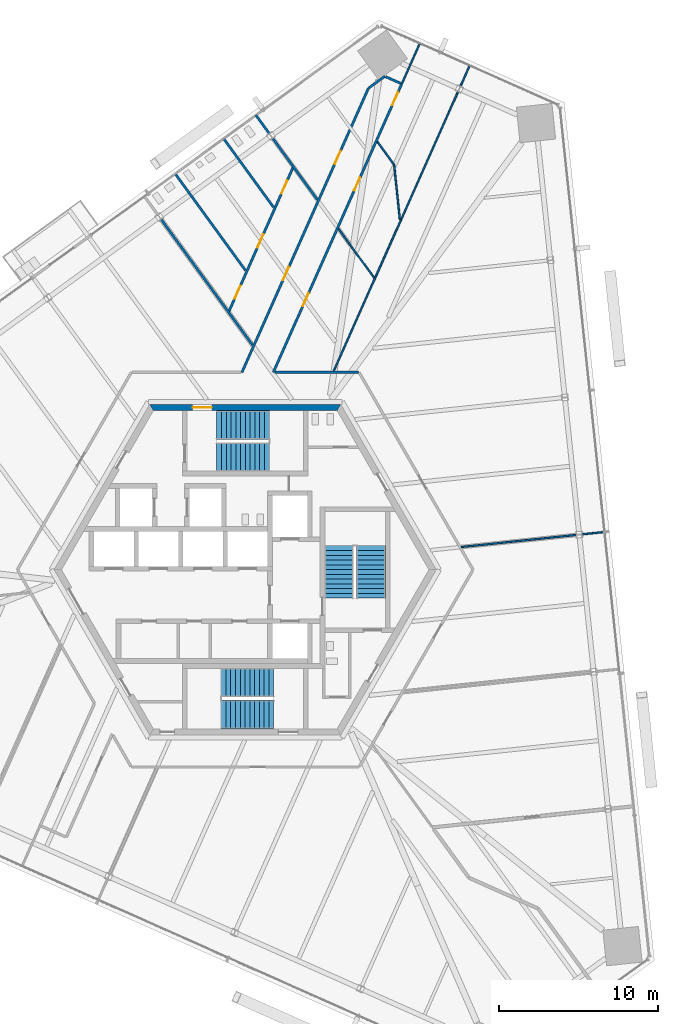
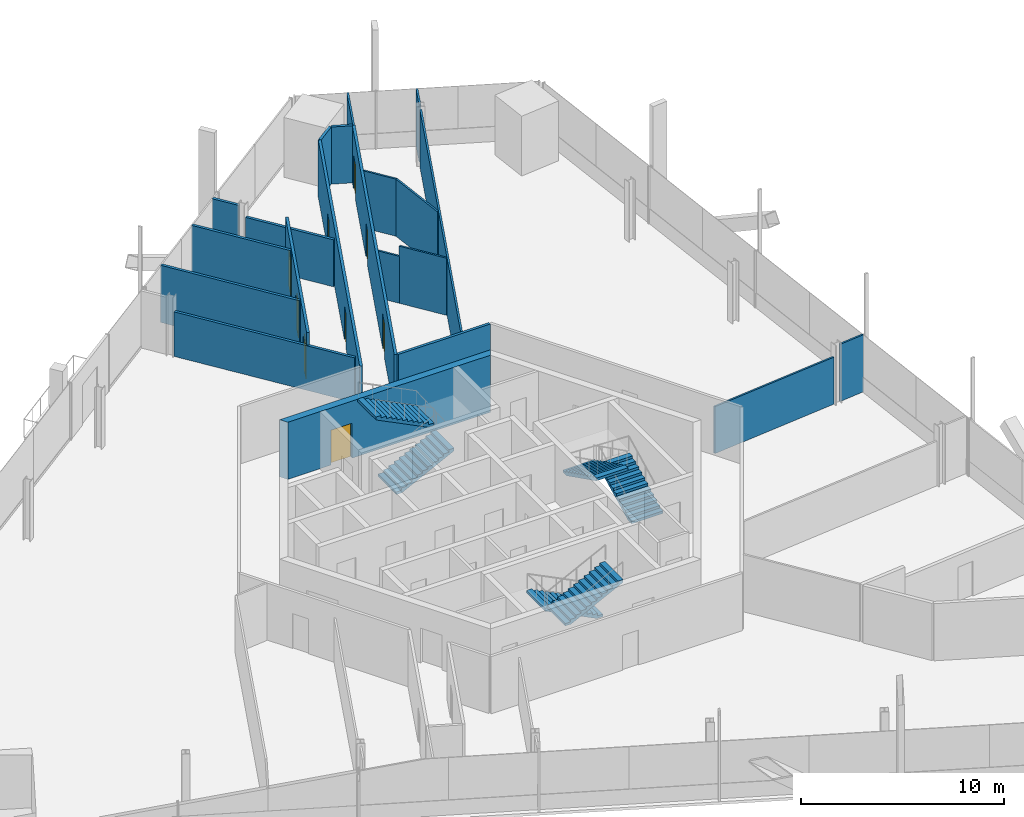
# One storey, part 14 of 21: 21 walls, 9 doors, 6 stair flights, 9 openings, 3 elements without a shape of their own.
"""IFC4 building model written with IfcOpenShell, lengths in metres."""

from ifc_helpers import new_model, si_unit, direction, frame, frame_2d, origin, place, context, subcontext, project, spatial, polyline, rectangle, outline, extrude, source, transform, mapped, material, layer, layer_set, type_object, element, fill, aggregate, save


model = new_model("IFC4")

# Units and contexts
model_context = context("Model", 3, precision=1e-05, world=origin(), true_north=direction((0.0, 1.0)))
body_context = subcontext(model_context, "Body", "Model", "MODEL_VIEW")
ifc_project = project(units=[si_unit("LENGTHUNIT", "METRE"), si_unit("AREAUNIT", "SQUARE_METRE"), si_unit("VOLUMEUNIT", "CUBIC_METRE"), si_unit("PLANEANGLEUNIT", "RADIAN"), si_unit("MASSUNIT", "GRAM", prefix="KILO")], contexts=[model_context])

# Site, building, storey
site_placement = place(None, origin())
site = spatial("IfcSite", under=ifc_project, at=site_placement, CompositionType="ELEMENT")
building_placement = place(site_placement, origin())
building = spatial("IfcBuilding", under=site, at=building_placement, Name="Triune Harvest Tower", CompositionType="ELEMENT")
storey_placement = place(building_placement, frame((0.0, 0.0, 65.699951171875)))
storey = spatial("IfcBuildingStorey", under=building, at=storey_placement, Name="L15", CompositionType="ELEMENT", Elevation=65.699951171875)

# Walls
ifc_material_1 = material(Name="Gypsum board on steel studs", Category="steel")
ifc_layer_1 = layer(ifc_material_1, 0.10009765625)
ifc_layer_set_1 = layer_set([ifc_layer_1], Name="Gypsum board on steel studs")
wall_type_1 = type_object("IfcWallType", Name="Partition 100 mm", PredefinedType="PARTITIONING", material=ifc_layer_set_1)
wall_1_placement = place(storey_placement, frame((9.35009765625, 25.447021484375, 0.0), z_axis=(0.0, 0.0, 1.0), x_axis=(0.104549548295, -0.994519679017, 0.0)))
element("IfcWall", 1, at=wall_1_placement, inside=storey, type_object=wall_type_1, Name="Partition L15 001", PredefinedType="PARTITIONING", context=body_context, shape_type="SweptSolid", body=[
    extrude(rectangle(XDim=3.47705078125, YDim=0.10009765625, at=frame_2d((1.738525390625, 0.0))), origin(), (0.0, 0.0, 1.0), 3.43994140625),
])
wall_2_placement = place(storey_placement, frame((8.3017578125, 26.889892578125, 0.0), z_axis=(0.0, 0.0, 1.0), x_axis=(0.587797227367, -0.809008293838, 0.0)))
element("IfcWall", 2, at=wall_2_placement, inside=storey, type_object=wall_type_1, Name="Partition L15 015", PredefinedType="PARTITIONING", context=body_context, shape_type="SweptSolid", body=[
    extrude(rectangle(XDim=1.783447265625, YDim=0.10009765625, at=frame_2d((0.8916015625, 0.0))), origin(), (0.0, 0.0, 1.0), 3.43994140625),
])

# Wall, opening, door
ifc_material_2 = material(Name="Concrete 70 MPa", Category="concrete")
ifc_layer_2 = layer(ifc_material_2, 0.39990234375)
ifc_layer_set_2 = layer_set([ifc_layer_2], Name="Concrete 70 MPa")
wall_type_2 = type_object("IfcWallType", Name="Core wall 400", PredefinedType="SHEAR", material=ifc_layer_set_2)
shared_shape_1 = source(origin(), body_context, "Body", "SweptSolid", [
    extrude(outline(polyline([(-0.115478515625, -0.199951171875), (11.884521484375, -0.199951171875), (11.653564453125, 0.199951171875), (0.115478515625, 0.199951171875), (-0.115478515625, -0.199951171875)])), origin(), (0.0, 0.0, 1.0), 3.43994140625),
])
wall_3_placement = place(storey_placement, frame((5.884521484375, 10.1923828125, 0.0), z_axis=(0.0, 0.0, 1.0), x_axis=(-1.0, 0.0, 0.0)))
wall_3 = element("IfcWall", 3, at=wall_3_placement, inside=storey, type_object=wall_type_2, Name="Hexagon 1 wall", PredefinedType="SHEAR", context=body_context, shape_type="MappedRepresentation", body=[
    mapped(shared_shape_1, transform((0.0, 0.0, 0.0), scale=1.0)),
])
opening_1_placement = place(wall_3_placement, frame((7.984619140625, 0.0, 0.0)))
opening_1 = element("IfcOpeningElement", 4, at=opening_1_placement, cuts=wall_3, Name="Opening CD-S1P", PredefinedType="OPENING", context=body_context, shape_type="SweptSolid", body=[
    extrude(rectangle(XDim=1.199951171875, YDim=2.10009765625, at=frame_2d((0.60009765625, 1.050048828125))), frame((0.0, 0.2099609375, 0.0), z_axis=(0.0, -1.0, 0.0), x_axis=(1.0, 0.0, 0.0)), (0.0, 0.0, 1.0), 0.419921875),
])
ifc_material_3 = material(Name="Steel S235", Category="steel")
door_type_1 = type_object("IfcDoorType", Name="Stair door 1200 FD120", OperationType="SINGLE_SWING_LEFT", PredefinedType="DOOR", material=ifc_material_3)
door_1_placement = place(opening_1_placement, frame((1.199951171875, 0.0, 0.0), z_axis=(0.0, 0.0, 1.0), x_axis=(-1.0, 0.0, 0.0)))
door_1 = element("IfcDoor", 5, at=door_1_placement, inside=storey, type_object=door_type_1, Name="Door CD-S1P", OperationType="SINGLE_SWING_RIGHT", OverallHeight=2.10009765625, OverallWidth=1.199951171875, PredefinedType="DOOR", context=body_context, shape_type="SweptSolid", body=[
    extrude(rectangle(XDim=1.199951171875, YDim=2.10009765625, at=frame_2d((0.60009765625, 1.050048828125))), frame((0.0, 0.02490234375, 0.0), z_axis=(0.0, -1.0, 0.0), x_axis=(1.0, 0.0, 0.0)), (0.0, 0.0, 1.0), 0.050048828125),
])
fill(opening_1, door_1)

# Walls
ifc_material_4 = material(Name="Gypsum board on steel studs", Category="steel")
ifc_layer_3 = layer(ifc_material_4, 0.14990234375)
ifc_layer_set_3 = layer_set([ifc_layer_3], Name="Gypsum board on steel studs")
wall_type_3 = type_object("IfcWallType", Name="Fire Partition 150 mm", PredefinedType="PARTITIONING", material=ifc_layer_set_3)
shared_shape_2 = source(origin(), body_context, "Body", "SweptSolid", [
    extrude(rectangle(XDim=9.754150390625, YDim=0.14990234375, at=frame_2d((4.876953125, 0.0))), origin(), (0.0, 0.0, 1.0), 2.68310546875),
])
wall_4_placement = place(storey_placement, frame((-5.2802734375, 22.004638671875, 0.0), z_axis=(0.0, 0.0, 1.0), x_axis=(0.587784693137, -0.809017400625, 0.0)))
element("IfcWall", 6, at=wall_4_placement, inside=storey, type_object=wall_type_3, Name="Partition L15 009", PredefinedType="PARTITIONING", context=body_context, shape_type="MappedRepresentation", body=[
    mapped(shared_shape_2, transform((0.0, 0.0, 0.0), scale=1.0)),
])
shared_shape_3 = source(origin(), body_context, "Body", "SweptSolid", [
    extrude(rectangle(XDim=7.5048828125, YDim=0.14990234375, at=frame_2d((3.75244140625, 0.0))), origin(), (0.0, 0.0, 1.0), 3.43994140625),
])
wall_5_placement = place(storey_placement, frame((-4.391845703125, 24.864990234375, 0.0), z_axis=(0.0, 0.0, 1.0), x_axis=(0.587777030778, -0.809022967591, 0.0)))
element("IfcWall", 7, at=wall_5_placement, inside=storey, type_object=wall_type_3, Name="Partition L15 010", PredefinedType="PARTITIONING", context=body_context, shape_type="MappedRepresentation", body=[
    mapped(shared_shape_3, transform((0.0, 0.0, 0.0), scale=1.0)),
])
shared_shape_4 = source(origin(), body_context, "Body", "SweptSolid", [
    extrude(rectangle(XDim=5.33544921875, YDim=0.14990234375, at=frame_2d((2.667724609375, 0.0))), origin(), (0.0, 0.0, 1.0), 3.43994140625),
])
wall_6_placement = place(storey_placement, frame((-1.35205078125, 27.073486328125, 0.0), z_axis=(0.0, 0.0, 1.0), x_axis=(0.587777109059, -0.809022910718, 0.0)))
element("IfcWall", 8, at=wall_6_placement, inside=storey, type_object=wall_type_3, Name="Partition L15 011", PredefinedType="PARTITIONING", context=body_context, shape_type="MappedRepresentation", body=[
    mapped(shared_shape_4, transform((0.0, 0.0, 0.0), scale=1.0)),
])
shared_shape_5 = source(origin(), body_context, "Body", "SweptSolid", [
    extrude(rectangle(XDim=1.41796875, YDim=0.14990234375, at=frame_2d((0.708984375, 0.0))), origin(), (0.0, 0.0, 1.0), 3.43994140625),
])
wall_7_placement = place(storey_placement, frame((0.674560546875, 28.545654296875, 0.0), z_axis=(0.0, 0.0, 1.0), x_axis=(0.587782622309, -0.809018905164, 0.0)))
element("IfcWall", 9, at=wall_7_placement, inside=storey, type_object=wall_type_3, Name="Partition L15 012", PredefinedType="PARTITIONING", context=body_context, shape_type="MappedRepresentation", body=[
    mapped(shared_shape_5, transform((0.0, 0.0, 0.0), scale=1.0)),
])
shared_shape_6 = source(origin(), body_context, "Body", "SweptSolid", [
    extrude(rectangle(XDim=4.7529296875, YDim=0.14990234375, at=frame_2d((2.37646484375, 0.0))), origin(), (0.0, 0.0, 1.0), 2.827880859375),
])
wall_8_placement = place(storey_placement, frame((1.727783203125, 27.09619140625, 0.0), z_axis=(0.0, 0.0, 1.0), x_axis=(0.587783745591, -0.809018089055, 0.0)))
element("IfcWall", 10, at=wall_8_placement, inside=storey, type_object=wall_type_3, Name="Partition L15 013", PredefinedType="PARTITIONING", context=body_context, shape_type="MappedRepresentation", body=[
    mapped(shared_shape_6, transform((0.0, 0.0, 0.0), scale=1.0)),
])
shared_shape_7 = source(origin(), body_context, "Body", "SweptSolid", [
    extrude(rectangle(XDim=1.260498046875, YDim=0.10009765625, at=frame_2d((0.63037109375, 0.0))), origin(), (0.0, 0.0, 1.0), 2.827880859375),
])
wall_9_placement = place(storey_placement, frame((5.86083984375, 21.40771484375, 0.0), z_axis=(0.0, 0.0, 1.0), x_axis=(0.587687864278, -0.809087741954, 0.0)))
element("IfcWall", 11, at=wall_9_placement, inside=storey, type_object=wall_type_1, Name="Partition L15 014", PredefinedType="PARTITIONING", context=body_context, shape_type="MappedRepresentation", body=[
    mapped(shared_shape_7, transform((0.0, 0.0, 0.0), scale=1.0)),
])
shared_shape_8 = source(origin(), body_context, "Body", "SweptSolid", [
    extrude(rectangle(XDim=2.54150390625, YDim=0.10009765625, at=frame_2d((1.270751953125, 0.0))), origin(), (0.0, 0.0, 1.0), 3.43994140625),
])
wall_10_placement = place(storey_placement, frame((6.6015625, 20.387939453125, 0.0), z_axis=(0.0, 0.0, 1.0), x_axis=(0.587788950983, -0.809014307106, 0.0)))
element("IfcWall", 12, at=wall_10_placement, inside=storey, type_object=wall_type_1, Name="Partition L15 014a", PredefinedType="PARTITIONING", context=body_context, shape_type="MappedRepresentation", body=[
    mapped(shared_shape_8, transform((0.0, 0.0, 0.0), scale=1.0)),
])
shared_shape_9 = source(origin(), body_context, "Body", "SweptSolid", [
    extrude(rectangle(XDim=1.06396484375, YDim=0.14990234375, at=frame_2d((0.531982421875, 0.0))), origin(), (0.0, 0.0, 1.0), 3.43994140625),
])
wall_11_placement = place(storey_placement, frame((8.813232421875, 30.968994140625, 0.0), z_axis=(0.0, 0.0, 1.0), x_axis=(0.91358428544, -0.40664942321, 0.0)))
element("IfcWall", 13, at=wall_11_placement, inside=storey, type_object=wall_type_3, Name="Partition L15 018", PredefinedType="PARTITIONING", context=body_context, shape_type="MappedRepresentation", body=[
    mapped(shared_shape_9, transform((0.0, 0.0, 0.0), scale=1.0)),
])
shared_shape_10 = source(origin(), body_context, "Body", "SweptSolid", [
    extrude(rectangle(XDim=5.242919921875, YDim=0.14990234375, at=frame_2d((2.62158203125, 0.0))), origin(), (0.0, 0.0, 1.0), 3.43994140625),
])
wall_12_placement = place(storey_placement, frame((1.86181640625, 12.392333984375, 0.0), z_axis=(0.0, 0.0, 1.0), x_axis=(1.0, 0.0, 0.0)))
element("IfcWall", 14, at=wall_12_placement, inside=storey, type_object=wall_type_3, Name="Partition L15 021", PredefinedType="PARTITIONING", context=body_context, shape_type="MappedRepresentation", body=[
    mapped(shared_shape_10, transform((0.0, 0.0, 0.0), scale=1.0)),
])
shared_shape_11 = source(origin(), body_context, "Body", "SweptSolid", [
    extrude(rectangle(XDim=7.260498046875, YDim=0.10009765625, at=frame_2d((3.63037109375, 0.0))), origin(), (0.0, 0.0, 1.0), 2.827880859375),
])
wall_13_placement = place(storey_placement, frame((13.5703125, 1.427001953125, 0.0), z_axis=(0.0, 0.0, 1.0), x_axis=(0.994520367198, 0.104543001813, 0.0)))
element("IfcWall", 15, at=wall_13_placement, inside=storey, type_object=wall_type_1, Name="Partition L15 027", PredefinedType="PARTITIONING", context=body_context, shape_type="MappedRepresentation", body=[
    mapped(shared_shape_11, transform((0.0, 0.0, 0.0), scale=1.0)),
])
shared_shape_12 = source(origin(), body_context, "Body", "SweptSolid", [
    extrude(rectangle(XDim=1.418212890625, YDim=0.10009765625, at=frame_2d((0.708984375, 0.0))), origin(), (0.0, 0.0, 1.0), 3.43994140625),
])
wall_14_placement = place(storey_placement, frame((21.162841796875, 2.22509765625, 0.0), z_axis=(0.0, 0.0, 1.0), x_axis=(0.99452524445, 0.104496593973, 0.0)))
element("IfcWall", 16, at=wall_14_placement, inside=storey, type_object=wall_type_1, Name="Partition L15 028", PredefinedType="PARTITIONING", context=body_context, shape_type="MappedRepresentation", body=[
    mapped(shared_shape_12, transform((0.0, 0.0, 0.0), scale=1.0)),
])
shared_shape_13 = source(origin(), body_context, "Body", "SweptSolid", [
    extrude(rectangle(XDim=1.252197265625, YDim=0.14990234375, at=frame_2d((0.6259765625, 0.0))), origin(), (0.0, 0.0, 1.0), 3.43994140625),
])
wall_15_placement = place(storey_placement, frame((7.754638671875, 30.25341796875, 0.0), z_axis=(0.0, 0.0, 1.0), x_axis=(0.808963673702, 0.587858634903, 0.0)))
element("IfcWall", 17, at=wall_15_placement, inside=storey, type_object=wall_type_3, Name="Partition L15 029", PredefinedType="PARTITIONING", context=body_context, shape_type="MappedRepresentation", body=[
    mapped(shared_shape_13, transform((0.0, 0.0, 0.0), scale=1.0)),
])
shared_shape_14 = source(origin(), body_context, "Body", "SweptSolid", [
    extrude(rectangle(XDim=1.41845703125, YDim=0.10009765625, at=frame_2d((0.709228515625, 0.0))), origin(), (0.0, 0.0, 1.0), 3.43994140625),
])
wall_16_placement = place(storey_placement, frame((13.519287109375, 30.364501953125, 0.0), z_axis=(0.0, 0.0, 1.0), x_axis=(0.406697305895, 0.913562970669, 0.0)))
element("IfcWall", 18, at=wall_16_placement, inside=storey, type_object=wall_type_1, Name="Partition L15 035", PredefinedType="PARTITIONING", context=body_context, shape_type="MappedRepresentation", body=[
    mapped(shared_shape_14, transform((0.0, 0.0, 0.0), scale=1.0)),
])
shared_shape_15 = source(origin(), body_context, "Body", "SweptSolid", [
    extrude(rectangle(XDim=19.29931640625, YDim=0.10009765625, at=frame_2d((9.649658203125, 0.0))), origin(), (0.0, 0.0, 1.0), 3.43994140625),
])
wall_17_placement = place(storey_placement, frame((5.517578125, 12.392333984375, 0.0), z_axis=(0.0, 0.0, 1.0), x_axis=(0.406729941856, 0.913548441188, 0.0)))
element("IfcWall", 19, at=wall_17_placement, inside=storey, type_object=wall_type_1, Name="Partition L15 034", PredefinedType="PARTITIONING", context=body_context, shape_type="MappedRepresentation", body=[
    mapped(shared_shape_15, transform((0.0, 0.0, 0.0), scale=1.0)),
])

# Wall, openings, doors
shared_shape_16 = source(origin(), body_context, "Body", "SweptSolid", [
    extrude(rectangle(XDim=19.8388671875, YDim=0.14990234375, at=frame_2d((9.91943359375, 0.0))), origin(), (0.0, 0.0, 1.0), 3.43994140625),
])
wall_18_placement = place(storey_placement, frame((1.76171875, 12.392333984375, 0.0), z_axis=(0.0, 0.0, 1.0), x_axis=(0.406745822445, 0.913541370669, 0.0)))
wall_18 = element("IfcWall", 20, at=wall_18_placement, inside=storey, type_object=wall_type_3, Name="Partition L15 037", PredefinedType="PARTITIONING", context=body_context, shape_type="MappedRepresentation", body=[
    mapped(shared_shape_16, transform((0.0, 0.0, 0.0), scale=1.0)),
])
opening_2_placement = place(wall_18_placement, frame((18.372802734375, 0.0, 0.0)))
opening_2 = element("IfcOpeningElement", 21, at=opening_2_placement, cuts=wall_18, Name="Opening L15-005", PredefinedType="OPENING", context=body_context, shape_type="SweptSolid", body=[
    extrude(rectangle(XDim=0.89990234375, YDim=2.10009765625, at=frame_2d((0.449951171875, 1.050048828125))), frame((0.0, 0.0849609375, 0.0), z_axis=(0.0, -1.0, 0.0), x_axis=(1.0, 0.0, 0.0)), (0.0, 0.0, 1.0), 0.169921875),
])
opening_3_placement = place(wall_18_placement, frame((12.498046875, 0.0, 0.0)))
opening_3 = element("IfcOpeningElement", 22, at=opening_3_placement, cuts=wall_18, Name="Opening L15-007", PredefinedType="OPENING", context=body_context, shape_type="SweptSolid", body=[
    extrude(rectangle(XDim=0.89990234375, YDim=2.10009765625, at=frame_2d((0.449951171875, 1.050048828125))), frame((0.0, 0.0849609375, 0.0), z_axis=(0.0, -1.0, 0.0), x_axis=(1.0, 0.0, 0.0)), (0.0, 0.0, 1.0), 0.169921875),
])
opening_4_placement = place(wall_18_placement, frame((4.550048828125, 0.0, 0.0)))
opening_4 = element("IfcOpeningElement", 23, at=opening_4_placement, cuts=wall_18, Name="Opening L15-009", PredefinedType="OPENING", context=body_context, shape_type="SweptSolid", body=[
    extrude(rectangle(XDim=0.89990234375, YDim=2.10009765625, at=frame_2d((0.449951171875, 1.050048828125))), frame((0.0, 0.0849609375, 0.0), z_axis=(0.0, -1.0, 0.0), x_axis=(1.0, 0.0, 0.0)), (0.0, 0.0, 1.0), 0.169921875),
])
ifc_material_5 = material(Name="Timber and steel door set", Category="steel")
door_type_2 = type_object("IfcDoorType", Name="Single leaf door FD30 left hand 900 x 2100", OperationType="SINGLE_SWING_LEFT", PredefinedType="DOOR", material=ifc_material_5)
door_2_placement = place(opening_2_placement, origin())
door_2 = element("IfcDoor", 24, at=door_2_placement, inside=storey, type_object=door_type_2, Name="Door L15-005 Specimen Store 15.05", OperationType="SINGLE_SWING_LEFT", OverallHeight=2.10009765625, OverallWidth=0.89990234375, PredefinedType="DOOR", context=body_context, shape_type="SweptSolid", body=[
    extrude(rectangle(XDim=0.89990234375, YDim=2.10009765625, at=frame_2d((0.449951171875, 1.050048828125))), frame((0.0, 0.02490234375, 0.0), z_axis=(0.0, -1.0, 0.0), x_axis=(1.0, 0.0, 0.0)), (0.0, 0.0, 1.0), 0.050048828125),
])
fill(opening_2, door_2)
door_3_placement = place(opening_3_placement, origin())
door_3 = element("IfcDoor", 25, at=door_3_placement, inside=storey, type_object=door_type_2, Name="Door L15-007 Print room 15.07", OperationType="SINGLE_SWING_LEFT", OverallHeight=2.10009765625, OverallWidth=0.89990234375, PredefinedType="DOOR", context=body_context, shape_type="SweptSolid", body=[
    extrude(rectangle(XDim=0.89990234375, YDim=2.10009765625, at=frame_2d((0.449951171875, 1.050048828125))), frame((0.0, 0.02490234375, 0.0), z_axis=(0.0, -1.0, 0.0), x_axis=(1.0, 0.0, 0.0)), (0.0, 0.0, 1.0), 0.050048828125),
])
fill(opening_3, door_3)
ifc_material_6 = material(Name="Timber and steel door set", Category="steel")
door_type_3 = type_object("IfcDoorType", Name="Single leaf door FD30 right hand 900 x 2100", OperationType="SINGLE_SWING_RIGHT", PredefinedType="DOOR", material=ifc_material_6)
door_4_placement = place(opening_4_placement, origin())
door_4 = element("IfcDoor", 26, at=door_4_placement, inside=storey, type_object=door_type_3, Name="Door L15-009 Office 15.09", OperationType="SINGLE_SWING_RIGHT", OverallHeight=2.10009765625, OverallWidth=0.89990234375, PredefinedType="DOOR", context=body_context, shape_type="SweptSolid", body=[
    extrude(rectangle(XDim=0.89990234375, YDim=2.10009765625, at=frame_2d((0.449951171875, 1.050048828125))), frame((0.0, 0.02490234375, 0.0), z_axis=(0.0, -1.0, 0.0), x_axis=(1.0, 0.0, 0.0)), (0.0, 0.0, 1.0), 0.050048828125),
])
fill(opening_4, door_4)

# Wall
shared_shape_17 = source(origin(), body_context, "Body", "SweptSolid", [
    extrude(rectangle(XDim=2.779296875, YDim=0.10009765625, at=frame_2d((1.3896484375, 0.0))), origin(), (0.0, 0.0, 1.0), 3.43994140625),
])
wall_19_placement = place(storey_placement, frame((9.831298828125, 30.516845703125, 0.0), z_axis=(0.0, 0.0, 1.0), x_axis=(0.406782215753, 0.913525166018, 0.0)))
element("IfcWall", 27, at=wall_19_placement, inside=storey, type_object=wall_type_1, Name="Partition L15 038", PredefinedType="PARTITIONING", context=body_context, shape_type="MappedRepresentation", body=[
    mapped(shared_shape_17, transform((0.0, 0.0, 0.0), scale=1.0)),
])

# Wall, openings, doors
shared_shape_18 = source(origin(), body_context, "Body", "SweptSolid", [
    extrude(rectangle(XDim=19.538818359375, YDim=0.14990234375, at=frame_2d((9.76953125, 0.0))), origin(), (0.0, 0.0, 1.0), 3.43994140625),
])
wall_20_placement = place(storey_placement, frame((-0.20849609375, 12.39208984375, 0.0), z_axis=(0.0, 0.0, 1.0), x_axis=(0.406730807111, 0.913548055959, 0.0)))
wall_20 = element("IfcWall", 28, at=wall_20_placement, inside=storey, type_object=wall_type_3, Name="Partition L15 041", PredefinedType="PARTITIONING", context=body_context, shape_type="MappedRepresentation", body=[
    mapped(shared_shape_18, transform((0.0, 0.0, 0.0), scale=1.0)),
])
opening_5_placement = place(wall_20_placement, frame((14.340087890625, 0.0, 0.0)))
opening_5 = element("IfcOpeningElement", 29, at=opening_5_placement, cuts=wall_20, Name="Opening L15-006", PredefinedType="OPENING", context=body_context, shape_type="SweptSolid", body=[
    extrude(rectangle(XDim=0.89990234375, YDim=2.10009765625, at=frame_2d((0.449951171875, 1.050048828125))), frame((0.0, 0.0849609375, 0.0), z_axis=(0.0, -1.0, 0.0), x_axis=(1.0, 0.0, 0.0)), (0.0, 0.0, 1.0), 0.169921875),
])
opening_6_placement = place(wall_20_placement, frame((6.338623046875, 0.0, 0.0)))
opening_6 = element("IfcOpeningElement", 30, at=opening_6_placement, cuts=wall_20, Name="Opening L15-008", PredefinedType="OPENING", context=body_context, shape_type="SweptSolid", body=[
    extrude(rectangle(XDim=0.89990234375, YDim=2.10009765625, at=frame_2d((0.449951171875, 1.050048828125))), frame((0.0, 0.0849609375, 0.0), z_axis=(0.0, -1.0, 0.0), x_axis=(1.0, 0.0, 0.0)), (0.0, 0.0, 1.0), 0.169921875),
])
door_5_placement = place(opening_6_placement, origin())
door_5 = element("IfcDoor", 31, at=door_5_placement, inside=storey, type_object=door_type_2, Name="Door L15-008 WC lobby 15.08", OperationType="SINGLE_SWING_LEFT", OverallHeight=2.10009765625, OverallWidth=0.89990234375, PredefinedType="DOOR", context=body_context, shape_type="SweptSolid", body=[
    extrude(rectangle(XDim=0.89990234375, YDim=2.10009765625, at=frame_2d((0.449951171875, 1.050048828125))), frame((0.0, 0.02490234375, 0.0), z_axis=(0.0, -1.0, 0.0), x_axis=(1.0, 0.0, 0.0)), (0.0, 0.0, 1.0), 0.050048828125),
])
fill(opening_6, door_5)
door_6_placement = place(opening_5_placement, origin())
door_6 = element("IfcDoor", 32, at=door_6_placement, inside=storey, type_object=door_type_3, Name="Door L15-006 Project Room 15.06", OperationType="SINGLE_SWING_RIGHT", OverallHeight=2.10009765625, OverallWidth=0.89990234375, PredefinedType="DOOR", context=body_context, shape_type="SweptSolid", body=[
    extrude(rectangle(XDim=0.89990234375, YDim=2.10009765625, at=frame_2d((0.449951171875, 1.050048828125))), frame((0.0, 0.02490234375, 0.0), z_axis=(0.0, -1.0, 0.0), x_axis=(1.0, 0.0, 0.0)), (0.0, 0.0, 1.0), 0.050048828125),
])
fill(opening_5, door_6)

shared_shape_19 = source(origin(), body_context, "Body", "SweptSolid", [
    extrude(rectangle(XDim=10.002197265625, YDim=0.14990234375, at=frame_2d((5.0009765625, 0.0))), origin(), (0.0, 0.0, 1.0), 3.43994140625),
])
wall_21_placement = place(storey_placement, frame((-1.043212890625, 16.1728515625, 0.0), z_axis=(0.0, 0.0, 1.0), x_axis=(0.406745320827, 0.91354159401, 0.0)))
wall_21 = element("IfcWall", 33, at=wall_21_placement, inside=storey, type_object=wall_type_3, Name="Partition L15 042", PredefinedType="PARTITIONING", context=body_context, shape_type="MappedRepresentation", body=[
    mapped(shared_shape_19, transform((0.0, 0.0, 0.0), scale=1.0)),
])
opening_7_placement = place(wall_21_placement, frame((8.15234375, 0.0, 0.0)))
opening_7 = element("IfcOpeningElement", 34, at=opening_7_placement, cuts=wall_21, Name="Opening L15-010", PredefinedType="OPENING", context=body_context, shape_type="SweptSolid", body=[
    extrude(rectangle(XDim=0.89990234375, YDim=2.10009765625, at=frame_2d((0.449951171875, 1.050048828125))), frame((0.0, 0.0849609375, 0.0), z_axis=(0.0, -1.0, 0.0), x_axis=(1.0, 0.0, 0.0)), (0.0, 0.0, 1.0), 0.169921875),
])
opening_8_placement = place(wall_21_placement, frame((4.4599609375, 0.0, 0.0)))
opening_8 = element("IfcOpeningElement", 35, at=opening_8_placement, cuts=wall_21, Name="Opening L15-011", PredefinedType="OPENING", context=body_context, shape_type="SweptSolid", body=[
    extrude(rectangle(XDim=0.89990234375, YDim=2.10009765625, at=frame_2d((0.449951171875, 1.050048828125))), frame((0.0, 0.0849609375, 0.0), z_axis=(0.0, -1.0, 0.0), x_axis=(1.0, 0.0, 0.0)), (0.0, 0.0, 1.0), 0.169921875),
])
opening_9_placement = place(wall_21_placement, frame((0.92138671875, 0.0, 0.0)))
opening_9 = element("IfcOpeningElement", 36, at=opening_9_placement, cuts=wall_21, Name="Opening L15-012", PredefinedType="OPENING", context=body_context, shape_type="SweptSolid", body=[
    extrude(rectangle(XDim=0.89990234375, YDim=2.10009765625, at=frame_2d((0.449951171875, 1.050048828125))), frame((0.0, 0.0849609375, 0.0), z_axis=(0.0, -1.0, 0.0), x_axis=(1.0, 0.0, 0.0)), (0.0, 0.0, 1.0), 0.169921875),
])
door_7_placement = place(opening_8_placement, origin())
door_7 = element("IfcDoor", 37, at=door_7_placement, inside=storey, type_object=door_type_2, Name="Door L15-011 Men's WC 15.11", OperationType="SINGLE_SWING_LEFT", OverallHeight=2.10009765625, OverallWidth=0.89990234375, PredefinedType="DOOR", context=body_context, shape_type="SweptSolid", body=[
    extrude(rectangle(XDim=0.89990234375, YDim=2.10009765625, at=frame_2d((0.449951171875, 1.050048828125))), frame((0.0, 0.02490234375, 0.0), z_axis=(0.0, -1.0, 0.0), x_axis=(1.0, 0.0, 0.0)), (0.0, 0.0, 1.0), 0.050048828125),
])
fill(opening_8, door_7)
door_8_placement = place(opening_9_placement, origin())
door_8 = element("IfcDoor", 38, at=door_8_placement, inside=storey, type_object=door_type_2, Name="Door L15-012 Accessible WC 15.12", OperationType="SINGLE_SWING_LEFT", OverallHeight=2.10009765625, OverallWidth=0.89990234375, PredefinedType="DOOR", context=body_context, shape_type="SweptSolid", body=[
    extrude(rectangle(XDim=0.89990234375, YDim=2.10009765625, at=frame_2d((0.449951171875, 1.050048828125))), frame((0.0, 0.02490234375, 0.0), z_axis=(0.0, -1.0, 0.0), x_axis=(1.0, 0.0, 0.0)), (0.0, 0.0, 1.0), 0.050048828125),
])
fill(opening_9, door_8)
door_9_placement = place(opening_7_placement, origin())
door_9 = element("IfcDoor", 39, at=door_9_placement, inside=storey, type_object=door_type_3, Name="Door L15-010 Women's WC 15.10", OperationType="SINGLE_SWING_RIGHT", OverallHeight=2.10009765625, OverallWidth=0.89990234375, PredefinedType="DOOR", context=body_context, shape_type="SweptSolid", body=[
    extrude(rectangle(XDim=0.89990234375, YDim=2.10009765625, at=frame_2d((0.449951171875, 1.050048828125))), frame((0.0, 0.02490234375, 0.0), z_axis=(0.0, -1.0, 0.0), x_axis=(1.0, 0.0, 0.0)), (0.0, 0.0, 1.0), 0.050048828125),
])
fill(opening_7, door_9)

# Stair, stair flights
ifc_material_7 = material(Name="Concrete 40 MPa", Category="concrete")
stair_type = type_object("IfcStairType", Name="Exit stair 1800 half turn", PredefinedType="HALF_TURN_STAIR", material=ifc_material_7)
stair_1_placement = place(storey_placement, origin())
stair_1 = element("IfcStair", 40, at=stair_1_placement, inside=storey, type_object=stair_type, Name="Exit stair north", PredefinedType="HALF_TURN_STAIR")
ifc_material_8 = material(Name="Concrete 40 MPa", Category="concrete")
stair_flight_type = type_object("IfcStairFlightType", Name="Stair flight 1800", PredefinedType="STRAIGHT", material=ifc_material_8)
shared_shape_20 = source(origin(), body_context, "Body", "SweptSolid", [
    extrude(outline(polyline([(0.0, 0.0), (0.0, 0.14990234375), (0.300048828125, 0.14990234375), (0.300048828125, 0.300048828125), (0.60009765625, 0.300048828125), (0.60009765625, 0.449951171875), (0.89990234375, 0.449951171875), (0.89990234375, 0.60009765625), (1.199951171875, 0.60009765625), (1.199951171875, 0.75), (1.5, 0.75), (1.5, 0.89990234375), (1.800048828125, 0.89990234375), (1.800048828125, 1.050048828125), (2.10009765625, 1.050048828125), (2.10009765625, 1.199951171875), (2.39990234375, 1.199951171875), (2.39990234375, 1.35009765625), (2.699951171875, 1.35009765625), (2.699951171875, 1.5), (3.0, 1.5), (3.0, 1.64990234375), (3.300048828125, 1.64990234375), (3.300048828125, 1.800048828125), (3.300048828125, 1.482421875), (0.335205078125, 0.0), (0.0, 0.0)])), frame((0.0, 0.89990234375, 0.0), z_axis=(0.0, -1.0, 0.0), x_axis=(1.0, 0.0, 0.0)), (0.0, 0.0, 1.0), 1.800048828125),
])
stair_flight_1_placement = place(storey_placement, frame((-1.7900390625, 7.090087890625, 0.0), z_axis=(0.0, 0.0, 1.0), x_axis=(1.0, 0.0, 0.0)))
stair_flight_1 = element("IfcStairFlight", 41, at=stair_flight_1_placement, type_object=stair_flight_type, Name="ST-1 flight 1", NumberOfRisers=12, NumberOfTreads=11, PredefinedType="STRAIGHT", RiserHeight=0.15, TreadLength=0.3, context=body_context, shape_type="MappedRepresentation", body=[
    mapped(shared_shape_20, transform((0.0, 0.0, 0.0), scale=1.0)),
])
stair_flight_2_placement = place(storey_placement, frame((1.510009765625, 9.090087890625, 1.800048828125), z_axis=(0.0, 0.0, 1.0), x_axis=(-1.0, 0.0, 0.0)))
stair_flight_2 = element("IfcStairFlight", 42, at=stair_flight_2_placement, type_object=stair_flight_type, Name="ST-1 flight 2", NumberOfRisers=12, NumberOfTreads=11, PredefinedType="STRAIGHT", RiserHeight=0.15, TreadLength=0.3, context=body_context, shape_type="MappedRepresentation", body=[
    mapped(shared_shape_20, transform((0.0, 0.0, 0.0), scale=1.0)),
])
aggregate(stair_1, [stair_flight_1, stair_flight_2])

stair_2_placement = place(storey_placement, origin())
stair_2 = element("IfcStair", 43, at=stair_2_placement, inside=storey, type_object=stair_type, Name="Exit stair south", PredefinedType="HALF_TURN_STAIR")
stair_flight_3_placement = place(storey_placement, frame((1.7900390625, -7.090087890625, 0.0), z_axis=(0.0, 0.0, 1.0), x_axis=(-1.0, 0.0, 0.0)))
stair_flight_3 = element("IfcStairFlight", 44, at=stair_flight_3_placement, type_object=stair_flight_type, Name="ST-2 flight 1", NumberOfRisers=12, NumberOfTreads=11, PredefinedType="STRAIGHT", RiserHeight=0.15, TreadLength=0.3, context=body_context, shape_type="MappedRepresentation", body=[
    mapped(shared_shape_20, transform((0.0, 0.0, 0.0), scale=1.0)),
])
stair_flight_4_placement = place(storey_placement, frame((-1.510009765625, -9.090087890625, 1.800048828125), z_axis=(0.0, 0.0, 1.0), x_axis=(1.0, 0.0, 0.0)))
stair_flight_4 = element("IfcStairFlight", 45, at=stair_flight_4_placement, type_object=stair_flight_type, Name="ST-2 flight 2", NumberOfRisers=12, NumberOfTreads=11, PredefinedType="STRAIGHT", RiserHeight=0.15, TreadLength=0.3, context=body_context, shape_type="MappedRepresentation", body=[
    mapped(shared_shape_20, transform((0.0, 0.0, 0.0), scale=1.0)),
])
aggregate(stair_2, [stair_flight_3, stair_flight_4])

stair_3_placement = place(storey_placement, origin())
stair_3 = element("IfcStair", 46, at=stair_3_placement, inside=storey, type_object=stair_type, Name="Exit stair east", PredefinedType="HALF_TURN_STAIR")
stair_flight_5_placement = place(storey_placement, frame((7.89990234375, -1.7900390625, 0.0), z_axis=(0.0, 0.0, 1.0), x_axis=(0.0, 1.0, 0.0)))
stair_flight_5 = element("IfcStairFlight", 47, at=stair_flight_5_placement, type_object=stair_flight_type, Name="ST-3 flight 1", NumberOfRisers=12, NumberOfTreads=11, PredefinedType="STRAIGHT", RiserHeight=0.15, TreadLength=0.3, context=body_context, shape_type="MappedRepresentation", body=[
    mapped(shared_shape_20, transform((0.0, 0.0, 0.0), scale=1.0)),
])
stair_flight_6_placement = place(storey_placement, frame((5.89990234375, 1.510009765625, 1.800048828125), z_axis=(0.0, 0.0, 1.0), x_axis=(0.0, -1.0, 0.0)))
stair_flight_6 = element("IfcStairFlight", 48, at=stair_flight_6_placement, type_object=stair_flight_type, Name="ST-3 flight 2", NumberOfRisers=12, NumberOfTreads=11, PredefinedType="STRAIGHT", RiserHeight=0.15, TreadLength=0.3, context=body_context, shape_type="MappedRepresentation", body=[
    mapped(shared_shape_20, transform((0.0, 0.0, 0.0), scale=1.0)),
])
aggregate(stair_3, [stair_flight_5, stair_flight_6])

save(model, "model.ifc")
